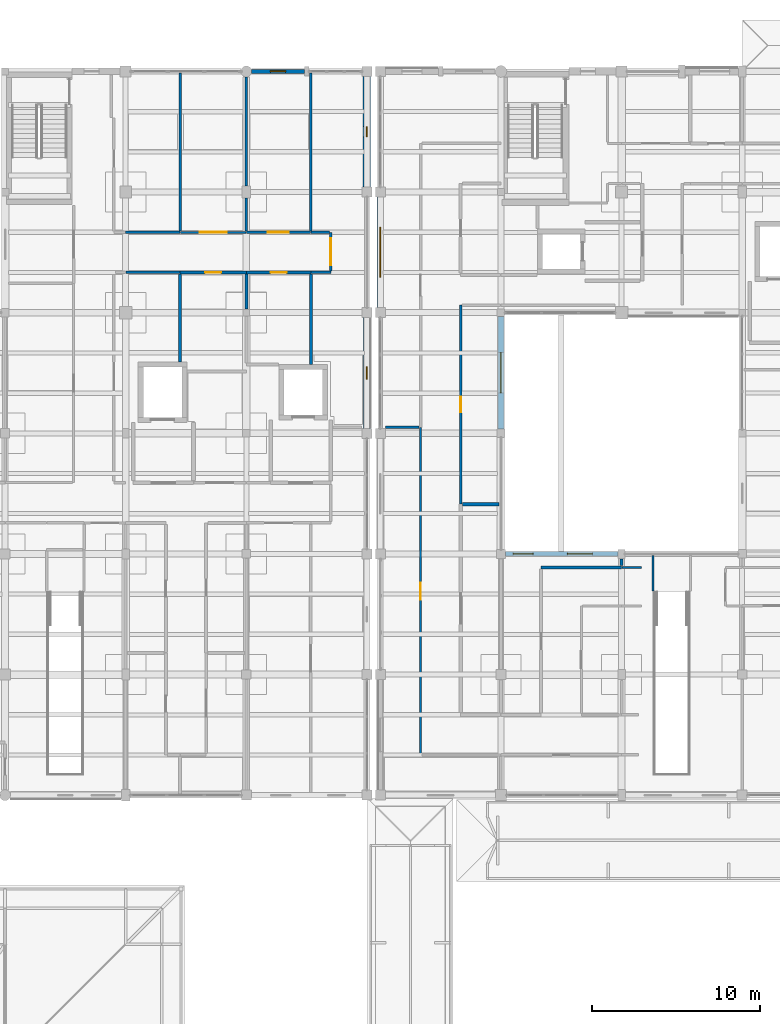
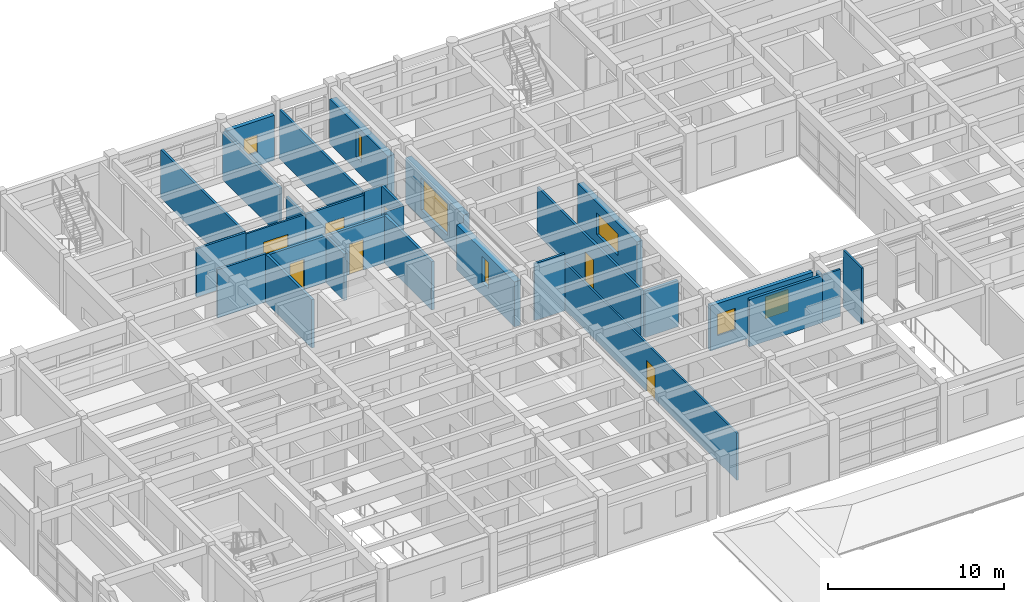
# One storey, part 85 of 110: 30 walls, 7 doors, 7 windows, 14 openings.
"""IFC4 building model written with IfcOpenShell, lengths in metres."""

from ifc_helpers import new_model, si_unit, direction, frame, frame_2d, origin, place, context, subcontext, project, spatial, rectangle, extrude, material, layer, layer_set, type_object, element, fill, save


model = new_model("IFC4")

# Units and contexts
model_context = context("Model", 3, precision=1e-05, world=origin(), true_north=direction((0.0, 1.0)))
body_context = subcontext(model_context, "Body", "Model", "MODEL_VIEW")
ifc_project = project(units=[si_unit("LENGTHUNIT", "METRE"), si_unit("AREAUNIT", "SQUARE_METRE"), si_unit("VOLUMEUNIT", "CUBIC_METRE"), si_unit("PLANEANGLEUNIT", "RADIAN"), si_unit("MASSUNIT", "GRAM", prefix="KILO")], contexts=[model_context])

# Site, building, storey
site_placement = place(None, origin())
site = spatial("IfcSite", under=ifc_project, at=site_placement, CompositionType="ELEMENT")
building_placement = place(site_placement, origin())
building = spatial("IfcBuilding", under=site, at=building_placement, Name="Steenspoor Specialist Clinic", CompositionType="ELEMENT")
storey_placement = place(building_placement, frame((0.0, 0.0, 4.800048828125)))
storey = spatial("IfcBuildingStorey", under=building, at=storey_placement, Name="L01", CompositionType="ELEMENT", Elevation=4.800048828125)

# Wall, opening, window
ifc_material_1 = material(Name="Extruded clay brick masonry", Category="masonry")
ifc_layer_1 = layer(ifc_material_1, 0.3798828125)
ifc_layer_set_1 = layer_set([ifc_layer_1], Name="Extruded clay brick masonry")
wall_type_1 = type_object("IfcWallType", Name="W-BRICK-380", PredefinedType="USERDEFINED", material=ifc_layer_set_1)
wall_1_placement = place(storey_placement, frame((59.60009765625, 93.72509765625, 0.0), z_axis=(0.0, 0.0, 1.0), x_axis=(0.0, -1.0, 0.0)))
wall_1 = element("IfcWall", 1, at=wall_1_placement, inside=storey, type_object=wall_type_1, Name="Exterior Brick Wall EW-V4-L01-0133", ObjectType="CAVITY VENEER", PredefinedType="USERDEFINED", context=body_context, shape_type="SweptSolid", body=[
    extrude(rectangle(XDim=6.72509765625, YDim=0.3798828125, at=frame_2d((3.362548828125, 0.0))), origin(), (0.0, 0.0, 1.0), 3.1298828125),
])
opening_1_placement = place(wall_1_placement, frame((2.16259765625, 0.0, 0.89990234375)))
opening_1 = element("IfcOpeningElement", 2, at=opening_1_placement, cuts=wall_1, Name="Opening WN-14", PredefinedType="OPENING", context=body_context, shape_type="SweptSolid", body=[
    extrude(rectangle(XDim=2.39990234375, YDim=1.5, at=frame_2d((1.199951171875, 0.75))), frame((0.0, 0.199951171875, 0.0), z_axis=(0.0, -1.0, 0.0), x_axis=(1.0, 0.0, 0.0)), (0.0, 0.0, 1.0), 0.39990234375),
])
ifc_material_2 = material(Name="Thermally broken aluminium and low-emissivity glass", Category="aluminium")
window_type_1 = type_object("IfcWindowType", Name="WN-EXT-240X150", PartitioningType="SINGLE_PANEL", PredefinedType="WINDOW", material=ifc_material_2)
window_1_placement = place(opening_1_placement, origin())
window_1 = element("IfcWindow", 3, at=window_1_placement, inside=storey, type_object=window_type_1, Name="Window 0157", OverallHeight=1.5, OverallWidth=2.39990234375, PartitioningType="SINGLE_PANEL", PredefinedType="WINDOW", context=body_context, shape_type="SweptSolid", body=[
    extrude(rectangle(XDim=2.39990234375, YDim=1.5, at=frame_2d((1.199951171875, 0.75))), frame((0.0, 0.030029296875, 0.0), z_axis=(0.0, -1.0, 0.0), x_axis=(1.0, 0.0, 0.0)), (0.0, 0.0, 1.0), 0.06005859375),
])
fill(opening_1, window_1)

ifc_layer_2 = layer(ifc_material_1, 0.409912109375)
ifc_layer_set_2 = layer_set([ifc_layer_2], Name="Extruded clay brick masonry")
wall_type_2 = type_object("IfcWallType", Name="W-BRICK-410", PredefinedType="USERDEFINED", material=ifc_layer_set_2)
wall_2_placement = place(storey_placement, frame((52.39990234375, 94.25, 0.0), z_axis=(0.0, 0.0, 1.0), x_axis=(0.0, 1.0, 0.0)))
wall_2 = element("IfcWall", 4, at=wall_2_placement, inside=storey, type_object=wall_type_2, Name="Exterior Brick Wall EW-V4-L01-0116", ObjectType="CAVITY VENEER", PredefinedType="USERDEFINED", context=body_context, shape_type="SweptSolid", body=[
    extrude(rectangle(XDim=6.60009765625, YDim=0.409912109375, at=frame_2d((3.300048828125, 0.0))), origin(), (0.0, 0.0, 1.0), 3.1298828125),
])
opening_2_placement = place(wall_2_placement, frame((1.800048828125, 0.0, 0.60009765625)))
opening_2 = element("IfcOpeningElement", 5, at=opening_2_placement, cuts=wall_2, Name="Opening WN-19", PredefinedType="OPENING", context=body_context, shape_type="SweptSolid", body=[
    extrude(rectangle(XDim=3.0, YDim=2.199951171875, at=frame_2d((1.5, 1.10009765625))), frame((0.0, 0.21484375, 0.0), z_axis=(0.0, -1.0, 0.0), x_axis=(1.0, 0.0, 0.0)), (0.0, 0.0, 1.0), 0.429931640625),
])
window_type_2 = type_object("IfcWindowType", Name="WN-EXT-300X220", PartitioningType="SINGLE_PANEL", PredefinedType="WINDOW", material=ifc_material_2)
window_2_placement = place(opening_2_placement, origin())
window_2 = element("IfcWindow", 6, at=window_2_placement, inside=storey, type_object=window_type_2, Name="Window 0138", OverallHeight=2.199951171875, OverallWidth=3.0, PartitioningType="SINGLE_PANEL", PredefinedType="WINDOW", context=body_context, shape_type="SweptSolid", body=[
    extrude(rectangle(XDim=3.0, YDim=2.199951171875, at=frame_2d((1.5, 1.10009765625))), frame((0.0, 0.030029296875, 0.0), z_axis=(0.0, -1.0, 0.0), x_axis=(1.0, 0.0, 0.0)), (0.0, 0.0, 1.0), 0.06005859375),
])
fill(opening_2, window_2)

wall_3_placement = place(storey_placement, frame((51.60009765625, 93.64990234375, 0.0), z_axis=(0.0, 0.0, 1.0), x_axis=(0.0, -1.0, 0.0)))
wall_3 = element("IfcWall", 7, at=wall_3_placement, inside=storey, type_object=wall_type_2, Name="Exterior Brick Wall EW-V5-L01-0264", ObjectType="CAVITY VENEER", PredefinedType="USERDEFINED", context=body_context, shape_type="SweptSolid", body=[
    extrude(rectangle(XDim=6.599853515625, YDim=0.409912109375, at=frame_2d((3.2998046875, 0.0))), origin(), (0.0, 0.0, 1.0), 3.1298828125),
])
opening_3_placement = place(wall_3_placement, frame((2.925048828125, 0.0, 0.89990234375)))
opening_3 = element("IfcOpeningElement", 8, at=opening_3_placement, cuts=wall_3, Name="Opening WN-02", PredefinedType="OPENING", context=body_context, shape_type="SweptSolid", body=[
    extrude(rectangle(XDim=0.75, YDim=1.800048828125, at=frame_2d((0.375, 0.89990234375))), frame((0.0, 0.21484375, 0.0), z_axis=(0.0, -1.0, 0.0), x_axis=(1.0, 0.0, 0.0)), (0.0, 0.0, 1.0), 0.429931640625),
])
window_type_3 = type_object("IfcWindowType", Name="WN-EXT-075X180", PartitioningType="SINGLE_PANEL", PredefinedType="WINDOW", material=ifc_material_2)
window_3_placement = place(opening_3_placement, origin())
window_3 = element("IfcWindow", 9, at=window_3_placement, inside=storey, type_object=window_type_3, Name="Window 0289", OverallHeight=1.800048828125, OverallWidth=0.75, PartitioningType="SINGLE_PANEL", PredefinedType="WINDOW", context=body_context, shape_type="SweptSolid", body=[
    extrude(rectangle(XDim=0.75, YDim=1.800048828125, at=frame_2d((0.375, 0.89990234375))), frame((0.0, 0.030029296875, 0.0), z_axis=(0.0, -1.0, 0.0), x_axis=(1.0, 0.0, 0.0)), (0.0, 0.0, 1.0), 0.06005859375),
])
fill(opening_3, window_3)

ifc_layer_3 = layer(ifc_material_1, 0.43994140625)
ifc_layer_set_3 = layer_set([ifc_layer_3], Name="Extruded clay brick masonry")
wall_type_3 = type_object("IfcWallType", Name="W-BRICK-440", PredefinedType="USERDEFINED", material=ifc_layer_set_3)
wall_4_placement = place(storey_placement, frame((51.60009765625, 108.050048828125, 0.0), z_axis=(0.0, 0.0, 1.0), x_axis=(0.0, -1.0, 0.0)))
wall_4 = element("IfcWall", 10, at=wall_4_placement, inside=storey, type_object=wall_type_3, Name="Exterior Brick Wall EW-V5-L01-0263", ObjectType="CAVITY VENEER", PredefinedType="USERDEFINED", context=body_context, shape_type="SweptSolid", body=[
    extrude(rectangle(XDim=6.60009765625, YDim=0.43994140625, at=frame_2d((3.300048828125, 0.0))), origin(), (0.0, 0.0, 1.0), 3.1298828125),
])
opening_4_placement = place(wall_4_placement, frame((3.0, 0.0, 0.89990234375)))
opening_4 = element("IfcOpeningElement", 11, at=opening_4_placement, cuts=wall_4, Name="Opening WN-01", PredefinedType="OPENING", context=body_context, shape_type="SweptSolid", body=[
    extrude(rectangle(XDim=0.60009765625, YDim=1.800048828125, at=frame_2d((0.300048828125, 0.89990234375))), frame((0.0, 0.22998046875, 0.0), z_axis=(0.0, -1.0, 0.0), x_axis=(1.0, 0.0, 0.0)), (0.0, 0.0, 1.0), 0.4599609375),
])
window_type_4 = type_object("IfcWindowType", Name="WN-EXT-060X180", PartitioningType="SINGLE_PANEL", PredefinedType="WINDOW", material=ifc_material_2)
window_4_placement = place(opening_4_placement, origin())
window_4 = element("IfcWindow", 12, at=window_4_placement, inside=storey, type_object=window_type_4, Name="Window 0288", OverallHeight=1.800048828125, OverallWidth=0.60009765625, PartitioningType="SINGLE_PANEL", PredefinedType="WINDOW", context=body_context, shape_type="SweptSolid", body=[
    extrude(rectangle(XDim=0.60009765625, YDim=1.800048828125, at=frame_2d((0.300048828125, 0.89990234375))), frame((0.0, 0.030029296875, 0.0), z_axis=(0.0, -1.0, 0.0), x_axis=(1.0, 0.0, 0.0)), (0.0, 0.0, 1.0), 0.06005859375),
])
fill(opening_4, window_4)

# Walls
ifc_material_3 = material(Name="Gypsum acoustic clinical partition", Category="gypsum")
ifc_layer_4 = layer(ifc_material_3, 0.14990234375)
ifc_layer_set_4 = layer_set([ifc_layer_4], Name="Gypsum acoustic clinical partition")
wall_type_4 = type_object("IfcWallType", Name="W-CLIN-150", PredefinedType="PARTITIONING", material=ifc_layer_set_4)
wall_5_placement = place(storey_placement, frame((37.215087890625, 96.35009765625, 0.0), z_axis=(0.0, 0.0, 1.0), x_axis=(1.0, 0.0, 0.0)))
element("IfcWall", 13, at=wall_5_placement, inside=storey, type_object=wall_type_4, Name="Interior Partition IW-V5-L01-0821", PredefinedType="PARTITIONING", context=body_context, shape_type="SweptSolid", body=[
    extrude(rectangle(XDim=3.219970703125, YDim=0.14990234375, at=frame_2d((1.60986328125, 0.0))), origin(), (0.0, 0.0, 1.0), 3.35498046875),
])
wall_6_placement = place(storey_placement, frame((48.264892578125, 96.35009765625, 0.0), z_axis=(0.0, 0.0, 1.0), x_axis=(1.0, 0.0, 0.0)))
element("IfcWall", 14, at=wall_6_placement, inside=storey, type_object=wall_type_4, Name="Interior Partition IW-V5-L01-0824", PredefinedType="PARTITIONING", context=body_context, shape_type="SweptSolid", body=[
    extrude(rectangle(XDim=1.18505859375, YDim=0.14990234375, at=frame_2d((0.592529296875, 0.0))), origin(), (0.0, 0.0, 1.0), 3.514892578125),
])

# Wall, opening, door
wall_7_placement = place(storey_placement, frame((49.449951171875, 96.43994140625, 0.0), z_axis=(0.0, 0.0, 1.0), x_axis=(0.0, 1.0, 0.0)))
wall_7 = element("IfcWall", 15, at=wall_7_placement, inside=storey, type_object=wall_type_4, Name="Interior Partition IW-V5-L01-0825", PredefinedType="PARTITIONING", context=body_context, shape_type="SweptSolid", body=[
    extrude(rectangle(XDim=2.31005859375, YDim=0.14990234375, at=frame_2d((1.155029296875, 0.0))), origin(), (0.0, 0.0, 1.0), 3.474853515625),
])
opening_5_placement = place(wall_7_placement, frame((0.35498046875, 0.0, 0.0)))
opening_5 = element("IfcOpeningElement", 16, at=opening_5_placement, cuts=wall_7, Name="Opening D0362", PredefinedType="OPENING", context=body_context, shape_type="SweptSolid", body=[
    extrude(rectangle(XDim=1.60009765625, YDim=2.25, at=frame_2d((0.800048828125, 1.125))), frame((0.0, 0.0849609375, 0.0), z_axis=(0.0, -1.0, 0.0), x_axis=(1.0, 0.0, 0.0)), (0.0, 0.0, 1.0), 0.169921875),
])
ifc_material_4 = material(Name="Hygienic HPL clinical timber door", Category="wood")
door_type_1 = type_object("IfcDoorType", Name="DT-PROC-160X225", OperationType="NOTDEFINED", PredefinedType="DOOR", material=ifc_material_4)
door_1_placement = place(opening_5_placement, origin())
door_1 = element("IfcDoor", 17, at=door_1_placement, inside=storey, type_object=door_type_1, Name="Clinical Door D0362", OperationType="SINGLE_SWING_LEFT", OverallHeight=2.25, OverallWidth=1.60009765625, PredefinedType="DOOR", context=body_context, shape_type="SweptSolid", body=[
    extrude(rectangle(XDim=1.60009765625, YDim=2.25, at=frame_2d((0.800048828125, 1.125))), frame((0.0, 0.02490234375, 0.0), z_axis=(0.0, -1.0, 0.0), x_axis=(1.0, 0.0, 0.0)), (0.0, 0.0, 1.0), 0.050048828125),
])
fill(opening_5, door_1)

# Wall
wall_8_placement = place(storey_placement, frame((48.25, 98.75, 0.0), z_axis=(0.0, 0.0, 1.0), x_axis=(1.0, 0.0, 0.0)))
element("IfcWall", 18, at=wall_8_placement, inside=storey, type_object=wall_type_4, Name="Interior Partition IW-V5-L01-0826", PredefinedType="PARTITIONING", context=body_context, shape_type="SweptSolid", body=[
    extrude(rectangle(XDim=1.110107421875, YDim=0.14990234375, at=frame_2d((0.55517578125, 0.0))), origin(), (0.0, 0.0, 1.0), 3.474853515625),
])

# Wall, opening, door
wall_9_placement = place(storey_placement, frame((57.199951171875, 82.5400390625, 0.0), z_axis=(0.0, 0.0, 1.0), x_axis=(0.0, 1.0, 0.0)))
wall_9 = element("IfcWall", 19, at=wall_9_placement, inside=storey, type_object=wall_type_4, Name="Interior Partition IW-V4-L01-0900", PredefinedType="PARTITIONING", context=body_context, shape_type="SweptSolid", body=[
    extrude(rectangle(XDim=11.85986328125, YDim=0.14990234375, at=frame_2d((5.929931640625, 0.0))), origin(), (0.0, 0.0, 1.0), 3.284912109375),
])
opening_6_placement = place(wall_9_placement, frame((5.455078125, 0.0, 0.0)))
opening_6 = element("IfcOpeningElement", 20, at=opening_6_placement, cuts=wall_9, Name="Opening D0210", PredefinedType="OPENING", context=body_context, shape_type="SweptSolid", body=[
    extrude(rectangle(XDim=0.949951171875, YDim=2.10009765625, at=frame_2d((0.47509765625, 1.050048828125))), frame((0.0, 0.0849609375, 0.0), z_axis=(0.0, -1.0, 0.0), x_axis=(1.0, 0.0, 0.0)), (0.0, 0.0, 1.0), 0.169921875),
])
ifc_material_5 = material(Name="Moisture-resistant HPL sanitary door", Category="wood")
door_type_2 = type_object("IfcDoorType", Name="DT-WC-095X210", OperationType="NOTDEFINED", PredefinedType="DOOR", material=ifc_material_5)
door_2_placement = place(opening_6_placement, origin())
door_2 = element("IfcDoor", 21, at=door_2_placement, inside=storey, type_object=door_type_2, Name="Clinical Door D0210", OperationType="SINGLE_SWING_LEFT", OverallHeight=2.10009765625, OverallWidth=0.949951171875, PredefinedType="DOOR", context=body_context, shape_type="SweptSolid", body=[
    extrude(rectangle(XDim=0.949951171875, YDim=2.10009765625, at=frame_2d((0.47509765625, 1.050048828125))), frame((0.0, 0.02490234375, 0.0), z_axis=(0.0, -1.0, 0.0), x_axis=(1.0, 0.0, 0.0)), (0.0, 0.0, 1.0), 0.050048828125),
])
fill(opening_6, door_2)

# Wall
wall_10_placement = place(storey_placement, frame((37.199951171875, 98.75, 0.0), z_axis=(0.0, 0.0, 1.0), x_axis=(1.0, 0.0, 0.0)))
element("IfcWall", 22, at=wall_10_placement, inside=storey, type_object=wall_type_4, Name="Interior Partition IW-V5-L01-0931", PredefinedType="PARTITIONING", context=body_context, shape_type="SweptSolid", body=[
    extrude(rectangle(XDim=3.25, YDim=0.14990234375, at=frame_2d((1.625, 0.0))), origin(), (0.0, 0.0, 1.0), 3.35498046875),
])

# Wall, opening, door
wall_11_placement = place(storey_placement, frame((44.39990234375, 98.75, 0.0), z_axis=(0.0, 0.0, 1.0), x_axis=(1.0, 0.0, 0.0)))
wall_11 = element("IfcWall", 23, at=wall_11_placement, inside=storey, type_object=wall_type_4, Name="Interior Partition IW-V5-L01-0934", PredefinedType="PARTITIONING", context=body_context, shape_type="SweptSolid", body=[
    extrude(rectangle(XDim=3.835205078125, YDim=0.14990234375, at=frame_2d((1.91748046875, 0.0))), origin(), (0.0, 0.0, 1.0), 3.23486328125),
])
opening_7_placement = place(wall_11_placement, frame((1.29248046875, 0.0, 0.0)))
opening_7 = element("IfcOpeningElement", 24, at=opening_7_placement, cuts=wall_11, Name="Opening D0368", PredefinedType="OPENING", context=body_context, shape_type="SweptSolid", body=[
    extrude(rectangle(XDim=1.25, YDim=2.14990234375, at=frame_2d((0.625, 1.074951171875))), frame((0.0, 0.0849609375, 0.0), z_axis=(0.0, -1.0, 0.0), x_axis=(1.0, 0.0, 0.0)), (0.0, 0.0, 1.0), 0.169921875),
])
door_type_3 = type_object("IfcDoorType", Name="DT-EXAM-125X215", OperationType="NOTDEFINED", PredefinedType="DOOR", material=ifc_material_4)
door_3_placement = place(opening_7_placement, origin())
door_3 = element("IfcDoor", 25, at=door_3_placement, inside=storey, type_object=door_type_3, Name="Clinical Door D0368", OperationType="SINGLE_SWING_LEFT", OverallHeight=2.14990234375, OverallWidth=1.25, PredefinedType="DOOR", context=body_context, shape_type="SweptSolid", body=[
    extrude(rectangle(XDim=1.25, YDim=2.14990234375, at=frame_2d((0.625, 1.074951171875))), frame((0.0, 0.02490234375, 0.0), z_axis=(0.0, -1.0, 0.0), x_axis=(1.0, 0.0, 0.0)), (0.0, 0.0, 1.0), 0.050048828125),
])
fill(opening_7, door_3)

# Walls
wall_12_placement = place(storey_placement, frame((48.25, 98.840087890625, 0.0), z_axis=(0.0, 0.0, 1.0), x_axis=(0.0, 1.0, 0.0)))
element("IfcWall", 26, at=wall_12_placement, inside=storey, type_object=wall_type_4, Name="Interior Partition IW-V5-L01-1149", PredefinedType="PARTITIONING", context=body_context, shape_type="SweptSolid", body=[
    extrude(rectangle(XDim=9.405029296875, YDim=0.14990234375, at=frame_2d((4.70263671875, 0.0))), origin(), (0.0, 0.0, 1.0), 3.385009765625),
])
wall_13_placement = place(storey_placement, frame((52.715087890625, 87.10009765625, 0.0), z_axis=(0.0, 0.0, 1.0), x_axis=(1.0, 0.0, 0.0)))
element("IfcWall", 27, at=wall_13_placement, inside=storey, type_object=wall_type_4, Name="Interior Partition IW-V4-L01-1181", PredefinedType="PARTITIONING", context=body_context, shape_type="SweptSolid", body=[
    extrude(rectangle(XDim=1.994873046875, YDim=0.14990234375, at=frame_2d((0.99755859375, 0.0))), origin(), (0.0, 0.0, 1.0), 3.949951171875),
])
wall_14_placement = place(storey_placement, frame((40.449951171875, 98.840087890625, 0.0), z_axis=(0.0, 0.0, 1.0), x_axis=(0.0, 1.0, 0.0)))
element("IfcWall", 28, at=wall_14_placement, inside=storey, type_object=wall_type_4, Name="Interior Partition IW-V5-L01-1210", PredefinedType="PARTITIONING", context=body_context, shape_type="SweptSolid", body=[
    extrude(rectangle(XDim=9.405029296875, YDim=0.14990234375, at=frame_2d((4.70263671875, 0.0))), origin(), (0.0, 0.0, 1.0), 3.35498046875),
])
wall_15_placement = place(storey_placement, frame((44.39990234375, 98.840087890625, 0.0), z_axis=(0.0, 0.0, 1.0), x_axis=(0.0, 1.0, 0.0)))
element("IfcWall", 29, at=wall_15_placement, inside=storey, type_object=wall_type_4, Name="Interior Partition IW-V5-L01-1211", PredefinedType="PARTITIONING", context=body_context, shape_type="SweptSolid", body=[
    extrude(rectangle(XDim=1.94482421875, YDim=0.14990234375, at=frame_2d((0.972412109375, 0.0))), origin(), (0.0, 0.0, 1.0), 3.23486328125),
])
wall_16_placement = place(storey_placement, frame((44.39990234375, 101.514892578125, 0.0), z_axis=(0.0, 0.0, 1.0), x_axis=(0.0, 1.0, 0.0)))
element("IfcWall", 30, at=wall_16_placement, inside=storey, type_object=wall_type_4, Name="Interior Partition IW-V5-L01-1212", PredefinedType="PARTITIONING", context=body_context, shape_type="SweptSolid", body=[
    extrude(rectangle(XDim=6.4951171875, YDim=0.14990234375, at=frame_2d((3.24755859375, 0.0))), origin(), (0.0, 0.0, 1.0), 3.35498046875),
])

# Wall, opening, door
ifc_material_6 = material(Name="Gypsum studio partition board", Category="gypsum")
ifc_layer_5 = layer(ifc_material_6, 0.1201171875)
ifc_layer_set_5 = layer_set([ifc_layer_5], Name="Gypsum studio partition board")
wall_type_5 = type_object("IfcWallType", Name="W-PART-120", PredefinedType="PARTITIONING", material=ifc_layer_set_5)
wall_17_placement = place(storey_placement, frame((54.800048828125, 67.550048828125, 0.0), z_axis=(0.0, 0.0, 1.0), x_axis=(0.0, 1.0, 0.0)))
wall_17 = element("IfcWall", 31, at=wall_17_placement, inside=storey, type_object=wall_type_5, Name="Interior Partition IW-V4-L01-0975", PredefinedType="PARTITIONING", context=body_context, shape_type="SweptSolid", body=[
    extrude(rectangle(XDim=19.534912109375, YDim=0.1201171875, at=frame_2d((9.767578125, 0.0))), origin(), (0.0, 0.0, 1.0), 3.284912109375),
])
opening_8_placement = place(wall_17_placement, frame((9.267578125, 0.0, 0.0)))
opening_8 = element("IfcOpeningElement", 32, at=opening_8_placement, cuts=wall_17, Name="Opening D0191", PredefinedType="OPENING", context=body_context, shape_type="SweptSolid", body=[
    extrude(rectangle(XDim=1.0, YDim=2.14990234375, at=frame_2d((0.5, 1.074951171875))), frame((0.0, 0.070068359375, 0.0), z_axis=(0.0, -1.0, 0.0), x_axis=(1.0, 0.0, 0.0)), (0.0, 0.0, 1.0), 0.14013671875),
])
ifc_material_7 = material(Name="Moisture-resistant HPL accessible WC door", Category="wood")
door_type_4 = type_object("IfcDoorType", Name="DT-AWC-100X215", OperationType="NOTDEFINED", PredefinedType="DOOR", material=ifc_material_7)
door_4_placement = place(opening_8_placement, origin())
door_4 = element("IfcDoor", 33, at=door_4_placement, inside=storey, type_object=door_type_4, Name="Clinical Door D0191", OperationType="SINGLE_SWING_RIGHT", OverallHeight=2.14990234375, OverallWidth=1.0, PredefinedType="DOOR", context=body_context, shape_type="SweptSolid", body=[
    extrude(rectangle(XDim=1.0, YDim=2.14990234375, at=frame_2d((0.5, 1.074951171875))), frame((0.0, 0.02490234375, 0.0), z_axis=(0.0, -1.0, 0.0), x_axis=(1.0, 0.0, 0.0)), (0.0, 0.0, 1.0), 0.050048828125),
])
fill(opening_8, door_4)

# Wall
wall_18_placement = place(storey_placement, frame((66.81494140625, 78.75, 0.0), z_axis=(0.0, 0.0, 1.0), x_axis=(1.0, 0.0, 0.0)))
element("IfcWall", 34, at=wall_18_placement, inside=storey, type_object=wall_type_5, Name="Interior Partition IW-V4-L01-0985", PredefinedType="PARTITIONING", context=body_context, shape_type="SweptSolid", body=[
    extrude(rectangle(XDim=1.18505859375, YDim=0.1201171875, at=frame_2d((0.592529296875, 0.0))), origin(), (0.0, 0.0, 1.0), 3.284912109375),
])

# Wall, opening, door
wall_19_placement = place(storey_placement, frame((40.465087890625, 98.75, 0.0), z_axis=(0.0, 0.0, 1.0), x_axis=(1.0, 0.0, 0.0)))
wall_19 = element("IfcWall", 35, at=wall_19_placement, inside=storey, type_object=wall_type_5, Name="Interior Partition IW-V5-L01-1023", PredefinedType="PARTITIONING", context=body_context, shape_type="SweptSolid", body=[
    extrude(rectangle(XDim=3.919921875, YDim=0.1201171875, at=frame_2d((1.9599609375, 0.0))), origin(), (0.0, 0.0, 1.0), 3.23486328125),
])
opening_9_placement = place(wall_19_placement, frame((1.159912109375, 0.0, 0.0)))
opening_9 = element("IfcOpeningElement", 36, at=opening_9_placement, cuts=wall_19, Name="Opening D0367", PredefinedType="OPENING", context=body_context, shape_type="SweptSolid", body=[
    extrude(rectangle(XDim=1.60009765625, YDim=2.25, at=frame_2d((0.800048828125, 1.125))), frame((0.0, 0.070068359375, 0.0), z_axis=(0.0, -1.0, 0.0), x_axis=(1.0, 0.0, 0.0)), (0.0, 0.0, 1.0), 0.14013671875),
])
door_5_placement = place(opening_9_placement, origin())
door_5 = element("IfcDoor", 37, at=door_5_placement, inside=storey, type_object=door_type_1, Name="Clinical Door D0367", OperationType="SINGLE_SWING_RIGHT", OverallHeight=2.25, OverallWidth=1.60009765625, PredefinedType="DOOR", context=body_context, shape_type="SweptSolid", body=[
    extrude(rectangle(XDim=1.60009765625, YDim=2.25, at=frame_2d((0.800048828125, 1.125))), frame((0.0, 0.02490234375, 0.0), z_axis=(0.0, -1.0, 0.0), x_axis=(1.0, 0.0, 0.0)), (0.0, 0.0, 1.0), 0.050048828125),
])
fill(opening_9, door_5)

# Walls
wall_20_placement = place(storey_placement, frame((68.675048828125, 77.35009765625, 0.0), z_axis=(0.0, 0.0, 1.0), x_axis=(0.0, 1.0, 0.0)))
element("IfcWall", 38, at=wall_20_placement, inside=storey, type_object=wall_type_5, Name="Interior Partition IW-V4-L01-1226", PredefinedType="PARTITIONING", context=body_context, shape_type="SweptSolid", body=[
    extrude(rectangle(XDim=2.094970703125, YDim=0.1201171875, at=frame_2d((1.04736328125, 0.0))), origin(), (0.0, 0.0, 1.0), 3.949951171875),
])
ifc_material_8 = material(Name="Moisture-resistant gypsum plumbing wall", Category="gypsum")
ifc_layer_6 = layer(ifc_material_8, 0.179931640625)
ifc_layer_set_6 = layer_set([ifc_layer_6], Name="Moisture-resistant gypsum plumbing wall")
wall_type_6 = type_object("IfcWallType", Name="W-PLUMB-180", PredefinedType="PLUMBINGWALL", material=ifc_layer_set_6)
wall_21_placement = place(storey_placement, frame((62.0, 78.75, 0.0), z_axis=(0.0, 0.0, 1.0), x_axis=(1.0, 0.0, 0.0)))
element("IfcWall", 39, at=wall_21_placement, inside=storey, type_object=wall_type_6, Name="Interior Partition IW-V4-L01-0761", PredefinedType="PLUMBINGWALL", context=body_context, shape_type="SweptSolid", body=[
    extrude(rectangle(XDim=4.800048828125, YDim=0.179931640625, at=frame_2d((2.39990234375, 0.0))), origin(), (0.0, 0.0, 1.0), 3.284912109375),
])

# Wall, opening, door
wall_22_placement = place(storey_placement, frame((40.449951171875, 96.35009765625, 0.0), z_axis=(0.0, 0.0, 1.0), x_axis=(1.0, 0.0, 0.0)))
wall_22 = element("IfcWall", 40, at=wall_22_placement, inside=storey, type_object=wall_type_6, Name="Interior Partition IW-V5-L01-0782", PredefinedType="PLUMBINGWALL", context=body_context, shape_type="SweptSolid", body=[
    extrude(rectangle(XDim=3.949951171875, YDim=0.179931640625, at=frame_2d((1.97509765625, 0.0))), origin(), (0.0, 0.0, 1.0), 3.23486328125),
])
opening_10_placement = place(wall_22_placement, frame((1.5, 0.0, 0.0)))
opening_10 = element("IfcOpeningElement", 41, at=opening_10_placement, cuts=wall_22, Name="Opening D0363", PredefinedType="OPENING", context=body_context, shape_type="SweptSolid", body=[
    extrude(rectangle(XDim=0.949951171875, YDim=2.10009765625, at=frame_2d((0.47509765625, 1.050048828125))), frame((0.0, 0.10009765625, 0.0), z_axis=(0.0, -1.0, 0.0), x_axis=(1.0, 0.0, 0.0)), (0.0, 0.0, 1.0), 0.199951171875),
])
door_6_placement = place(opening_10_placement, origin())
door_6 = element("IfcDoor", 42, at=door_6_placement, inside=storey, type_object=door_type_2, Name="Clinical Door D0363", OperationType="SINGLE_SWING_RIGHT", OverallHeight=2.10009765625, OverallWidth=0.949951171875, PredefinedType="DOOR", context=body_context, shape_type="SweptSolid", body=[
    extrude(rectangle(XDim=0.949951171875, YDim=2.10009765625, at=frame_2d((0.47509765625, 1.050048828125))), frame((0.0, 0.02490234375, 0.0), z_axis=(0.0, -1.0, 0.0), x_axis=(1.0, 0.0, 0.0)), (0.0, 0.0, 1.0), 0.050048828125),
])
fill(opening_10, door_6)

wall_23_placement = place(storey_placement, frame((44.4150390625, 96.35009765625, 0.0), z_axis=(0.0, 0.0, 1.0), x_axis=(1.0, 0.0, 0.0)))
wall_23 = element("IfcWall", 43, at=wall_23_placement, inside=storey, type_object=wall_type_6, Name="Interior Partition IW-V5-L01-0783", PredefinedType="PLUMBINGWALL", context=body_context, shape_type="SweptSolid", body=[
    extrude(rectangle(XDim=3.8349609375, YDim=0.179931640625, at=frame_2d((1.91748046875, 0.0))), origin(), (0.0, 0.0, 1.0), 3.23486328125),
])
opening_11_placement = place(wall_23_placement, frame((1.4423828125, 0.0, 0.0)))
opening_11 = element("IfcOpeningElement", 44, at=opening_11_placement, cuts=wall_23, Name="Opening D0364", PredefinedType="OPENING", context=body_context, shape_type="SweptSolid", body=[
    extrude(rectangle(XDim=0.949951171875, YDim=2.10009765625, at=frame_2d((0.47509765625, 1.050048828125))), frame((0.0, 0.10009765625, 0.0), z_axis=(0.0, -1.0, 0.0), x_axis=(1.0, 0.0, 0.0)), (0.0, 0.0, 1.0), 0.199951171875),
])
door_7_placement = place(opening_11_placement, origin())
door_7 = element("IfcDoor", 45, at=door_7_placement, inside=storey, type_object=door_type_2, Name="Clinical Door D0364", OperationType="SINGLE_SWING_LEFT", OverallHeight=2.10009765625, OverallWidth=0.949951171875, PredefinedType="DOOR", context=body_context, shape_type="SweptSolid", body=[
    extrude(rectangle(XDim=0.949951171875, YDim=2.10009765625, at=frame_2d((0.47509765625, 1.050048828125))), frame((0.0, 0.02490234375, 0.0), z_axis=(0.0, -1.0, 0.0), x_axis=(1.0, 0.0, 0.0)), (0.0, 0.0, 1.0), 0.050048828125),
])
fill(opening_11, door_7)

# Walls
wall_24_placement = place(storey_placement, frame((66.800048828125, 78.85498046875, 0.0), z_axis=(0.0, 0.0, 1.0), x_axis=(0.0, 1.0, 0.0)))
element("IfcWall", 46, at=wall_24_placement, inside=storey, type_object=wall_type_6, Name="Interior Partition IW-V4-L01-1095", PredefinedType="PLUMBINGWALL", context=body_context, shape_type="SweptSolid", body=[
    extrude(rectangle(XDim=0.405029296875, YDim=0.179931640625, at=frame_2d((0.20263671875, 0.0))), origin(), (0.0, 0.0, 1.0), 3.284912109375),
])
wall_25_placement = place(storey_placement, frame((40.449951171875, 91.014892578125, 0.0), z_axis=(0.0, 0.0, 1.0), x_axis=(0.0, 1.0, 0.0)))
element("IfcWall", 47, at=wall_25_placement, inside=storey, type_object=wall_type_6, Name="Interior Partition IW-V5-L01-1114", PredefinedType="PLUMBINGWALL", context=body_context, shape_type="SweptSolid", body=[
    extrude(rectangle(XDim=5.230224609375, YDim=0.179931640625, at=frame_2d((2.615234375, 0.0))), origin(), (0.0, 0.0, 1.0), 3.35498046875),
])
wall_26_placement = place(storey_placement, frame((48.25, 90.864990234375, 0.0), z_axis=(0.0, 0.0, 1.0), x_axis=(0.0, 1.0, 0.0)))
element("IfcWall", 48, at=wall_26_placement, inside=storey, type_object=wall_type_6, Name="Interior Partition IW-V5-L01-1117", PredefinedType="PLUMBINGWALL", context=body_context, shape_type="SweptSolid", body=[
    extrude(rectangle(XDim=5.380126953125, YDim=0.179931640625, at=frame_2d((2.68994140625, 0.0))), origin(), (0.0, 0.0, 1.0), 3.35498046875),
])
wall_27_placement = place(storey_placement, frame((44.39990234375, 94.1650390625, 0.0), z_axis=(0.0, 0.0, 1.0), x_axis=(0.0, 1.0, 0.0)))
element("IfcWall", 49, at=wall_27_placement, inside=storey, type_object=wall_type_6, Name="Interior Partition IW-V5-L01-1119", PredefinedType="PLUMBINGWALL", context=body_context, shape_type="SweptSolid", body=[
    extrude(rectangle(XDim=2.080078125, YDim=0.179931640625, at=frame_2d((1.0400390625, 0.0))), origin(), (0.0, 0.0, 1.0), 3.23486328125),
])

# Wall, openings, windows
ifc_layer_7 = layer(ifc_material_1, 0.260009765625)
ifc_layer_set_7 = layer_set([ifc_layer_7], Name="Extruded clay brick masonry")
wall_type_7 = type_object("IfcWallType", Name="W-SCREEN-260", PredefinedType="SOLIDWALL", material=ifc_layer_set_7)
wall_28_placement = place(storey_placement, frame((59.875, 79.550048828125, 0.0), z_axis=(0.0, 0.0, 1.0), x_axis=(1.0, 0.0, 0.0)))
wall_28 = element("IfcWall", 50, at=wall_28_placement, inside=storey, type_object=wall_type_7, Name="Exterior Brick Wall EW-V4-L01-0130", PredefinedType="SOLIDWALL", context=body_context, shape_type="SweptSolid", body=[
    extrude(rectangle(XDim=6.72509765625, YDim=0.260009765625, at=frame_2d((3.362548828125, 0.0))), origin(), (0.0, 0.0, 1.0), 3.1298828125),
])
opening_12_placement = place(wall_28_placement, frame((0.452392578125, 0.0, 0.89990234375)))
opening_12 = element("IfcOpeningElement", 51, at=opening_12_placement, cuts=wall_28, Name="Opening WN-11", PredefinedType="OPENING", context=body_context, shape_type="SweptSolid", body=[
    extrude(rectangle(XDim=1.199951171875, YDim=1.5, at=frame_2d((0.60009765625, 0.75))), frame((0.0, 0.14013671875, 0.0), z_axis=(0.0, -1.0, 0.0), x_axis=(1.0, 0.0, 0.0)), (0.0, 0.0, 1.0), 0.280029296875),
])
opening_13_placement = place(wall_28_placement, frame((3.68505859375, 0.0, 0.89990234375)))
opening_13 = element("IfcOpeningElement", 52, at=opening_13_placement, cuts=wall_28, Name="Opening WN-12", PredefinedType="OPENING", context=body_context, shape_type="SweptSolid", body=[
    extrude(rectangle(XDim=1.5, YDim=1.5, at=frame_2d((0.75, 0.75))), frame((0.0, 0.14013671875, 0.0), z_axis=(0.0, -1.0, 0.0), x_axis=(1.0, 0.0, 0.0)), (0.0, 0.0, 1.0), 0.280029296875),
])
window_type_5 = type_object("IfcWindowType", Name="WN-EXT-120X150", PartitioningType="SINGLE_PANEL", PredefinedType="WINDOW", material=ifc_material_2)
window_5_placement = place(opening_12_placement, origin())
window_5 = element("IfcWindow", 53, at=window_5_placement, inside=storey, type_object=window_type_5, Name="Window 0152", OverallHeight=1.5, OverallWidth=1.199951171875, PartitioningType="SINGLE_PANEL", PredefinedType="WINDOW", context=body_context, shape_type="SweptSolid", body=[
    extrude(rectangle(XDim=1.199951171875, YDim=1.5, at=frame_2d((0.60009765625, 0.75))), frame((0.0, 0.030029296875, 0.0), z_axis=(0.0, -1.0, 0.0), x_axis=(1.0, 0.0, 0.0)), (0.0, 0.0, 1.0), 0.06005859375),
])
fill(opening_12, window_5)
window_type_6 = type_object("IfcWindowType", Name="WN-EXT-150X150", PartitioningType="SINGLE_PANEL", PredefinedType="WINDOW", material=ifc_material_2)
window_6_placement = place(opening_13_placement, origin())
window_6 = element("IfcWindow", 54, at=window_6_placement, inside=storey, type_object=window_type_6, Name="Window 0153", OverallHeight=1.5, OverallWidth=1.5, PartitioningType="SINGLE_PANEL", PredefinedType="WINDOW", context=body_context, shape_type="SweptSolid", body=[
    extrude(rectangle(XDim=1.5, YDim=1.5, at=frame_2d((0.75, 0.75))), frame((0.0, 0.030029296875, 0.0), z_axis=(0.0, -1.0, 0.0), x_axis=(1.0, 0.0, 0.0)), (0.0, 0.0, 1.0), 0.06005859375),
])
fill(opening_13, window_6)

# Wall, opening, window
wall_29_placement = place(storey_placement, frame((44.72509765625, 108.35009765625, 0.0), z_axis=(0.0, 0.0, 1.0), x_axis=(1.0, 0.0, 0.0)))
wall_29 = element("IfcWall", 55, at=wall_29_placement, inside=storey, type_object=wall_type_7, Name="Exterior Brick Wall EW-V5-L01-0262", PredefinedType="SOLIDWALL", context=body_context, shape_type="SweptSolid", body=[
    extrude(rectangle(XDim=3.135009765625, YDim=0.260009765625, at=frame_2d((1.5673828125, 0.0))), origin(), (0.0, 0.0, 1.0), 3.1298828125),
])
opening_14_placement = place(wall_29_placement, frame((1.117431640625, 0.0, 0.949951171875)))
opening_14 = element("IfcOpeningElement", 56, at=opening_14_placement, cuts=wall_29, Name="Opening WN-21", PredefinedType="OPENING", context=body_context, shape_type="SweptSolid", body=[
    extrude(rectangle(XDim=0.89990234375, YDim=1.199951171875, at=frame_2d((0.449951171875, 0.60009765625))), frame((0.0, 0.14013671875, 0.0), z_axis=(0.0, -1.0, 0.0), x_axis=(1.0, 0.0, 0.0)), (0.0, 0.0, 1.0), 0.280029296875),
])
window_type_7 = type_object("IfcWindowType", Name="WN-EXT-090X120", PartitioningType="SINGLE_PANEL", PredefinedType="WINDOW", material=ifc_material_2)
window_7_placement = place(opening_14_placement, origin())
window_7 = element("IfcWindow", 57, at=window_7_placement, inside=storey, type_object=window_type_7, Name="Window 0287", OverallHeight=1.199951171875, OverallWidth=0.89990234375, PartitioningType="SINGLE_PANEL", PredefinedType="WINDOW", context=body_context, shape_type="SweptSolid", body=[
    extrude(rectangle(XDim=0.89990234375, YDim=1.199951171875, at=frame_2d((0.449951171875, 0.60009765625))), frame((0.0, 0.030029296875, 0.0), z_axis=(0.0, -1.0, 0.0), x_axis=(1.0, 0.0, 0.0)), (0.0, 0.0, 1.0), 0.06005859375),
])
fill(opening_14, window_7)

# Wall
ifc_material_9 = material(Name="Gypsum acoustic smoke barrier board", Category="gypsum")
ifc_layer_8 = layer(ifc_material_9, 0.199951171875)
ifc_layer_set_8 = layer_set([ifc_layer_8], Name="Gypsum acoustic smoke barrier board")
wall_type_8 = type_object("IfcWallType", Name="W-SMOKE-200", PredefinedType="PARTITIONING", material=ifc_layer_set_8)
wall_30_placement = place(storey_placement, frame((57.31494140625, 82.52490234375, 0.0), z_axis=(0.0, 0.0, 1.0), x_axis=(1.0, 0.0, 0.0)))
element("IfcWall", 58, at=wall_30_placement, inside=storey, type_object=wall_type_8, Name="Interior Partition IW-V4-L01-1129", PredefinedType="PARTITIONING", context=body_context, shape_type="SweptSolid", body=[
    extrude(rectangle(XDim=2.18017578125, YDim=0.199951171875, at=frame_2d((1.090087890625, 0.0))), origin(), (0.0, 0.0, 1.0), 3.21484375),
])

save(model, "model.ifc")
